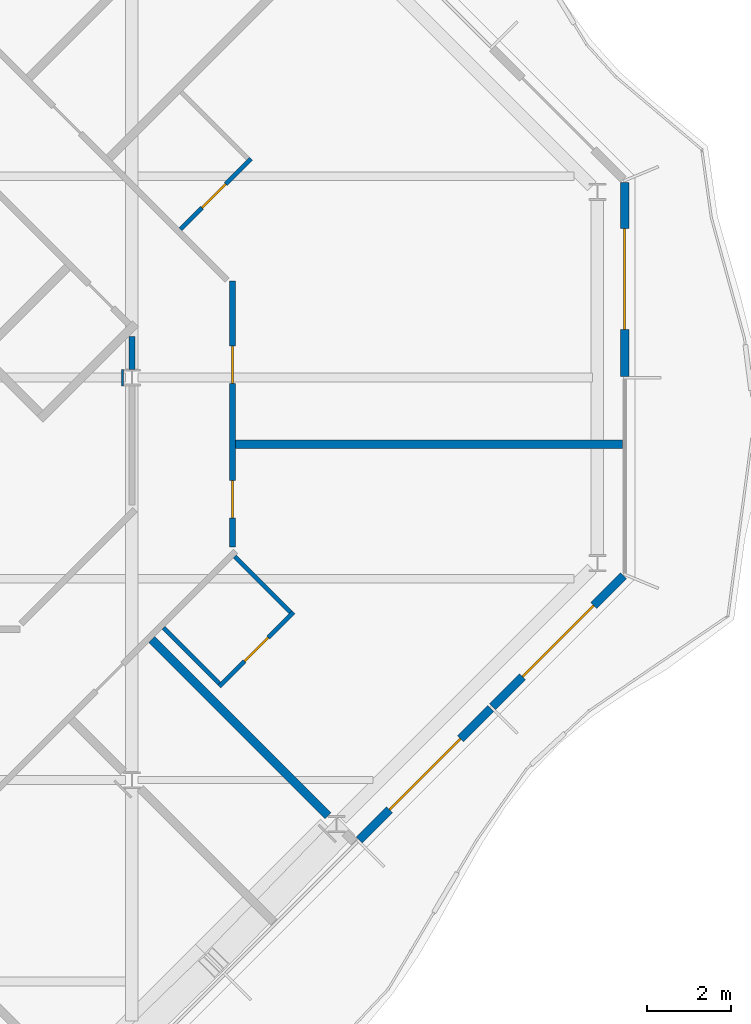
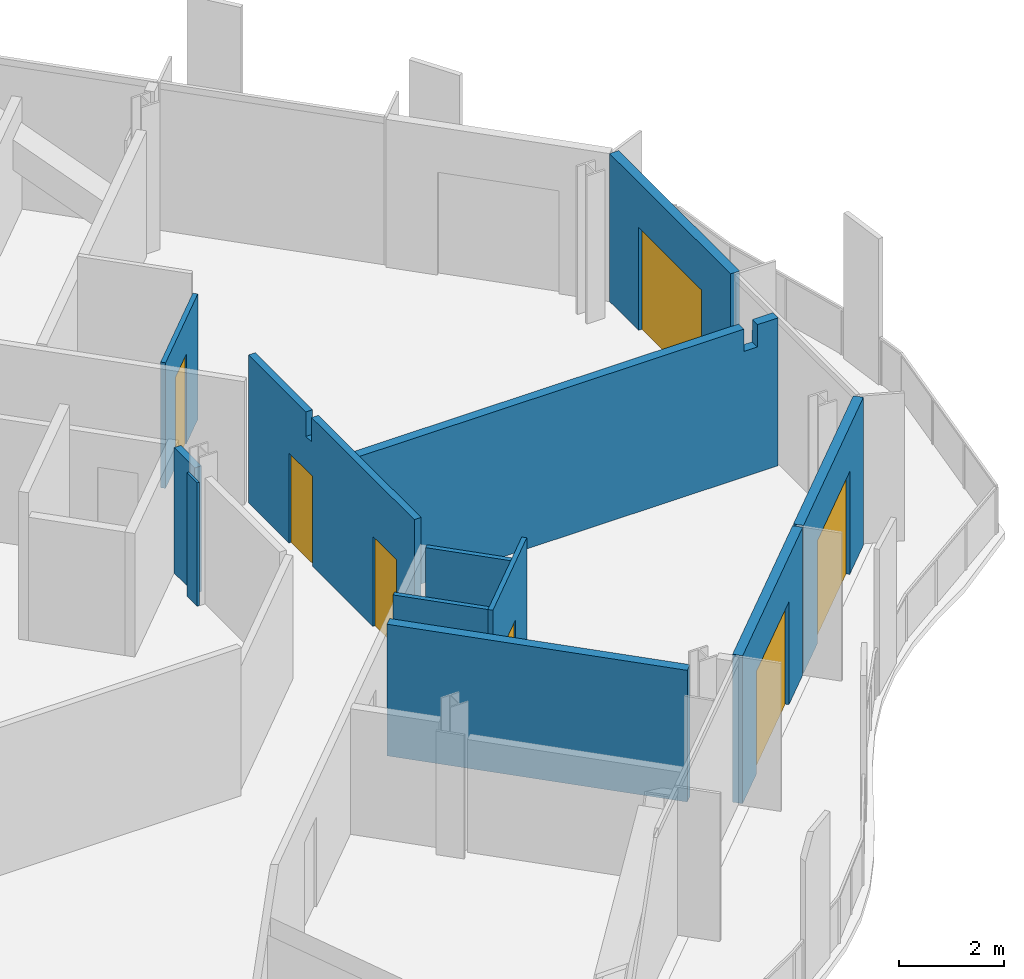
# One storey, part 10 of 17: 12 walls, 7 doors, 7 openings.
"""IFC4 building model written with IfcOpenShell, lengths in metres."""

from ifc_helpers import new_model, si_unit, direction, frame, frame_2d, origin, place, context, subcontext, project, spatial, polyline, rectangle, outline, extrude, material, layer, layer_set, type_object, element, fill, save


model = new_model("IFC4")

# Units and contexts
model_context = context("Model", 3, precision=1e-05, world=origin(), true_north=direction((0.0, 1.0)))
body_context = subcontext(model_context, "Body", "Model", "MODEL_VIEW")
ifc_project = project(units=[si_unit("LENGTHUNIT", "METRE"), si_unit("AREAUNIT", "SQUARE_METRE"), si_unit("VOLUMEUNIT", "CUBIC_METRE"), si_unit("PLANEANGLEUNIT", "RADIAN"), si_unit("MASSUNIT", "GRAM", prefix="KILO")], contexts=[model_context])

# Site, building, storey
site_placement = place(None, origin())
site = spatial("IfcSite", under=ifc_project, at=site_placement, CompositionType="ELEMENT")
building_placement = place(site_placement, origin())
building = spatial("IfcBuilding", under=site, at=building_placement, Name="Cairn Pilgrim Tower", CompositionType="ELEMENT")
storey_placement = place(building_placement, frame((0.0, 0.0, 253.800048828125)))
storey = spatial("IfcBuildingStorey", under=building, at=storey_placement, Name="L65", CompositionType="ELEMENT", Elevation=253.800048828125)

# Wall, opening, door
ifc_material_1 = material(Name="Bronze anodised aluminium insulated sandwich panel with mineral wool fill", Category="aluminium")
ifc_layer_1 = layer(ifc_material_1, 0.199951171875)
ifc_layer_set_1 = layer_set([ifc_layer_1], Name="BRONZE INFILL FRAME WALL 200")
wall_type_1 = type_object("IfcWallType", Name="BRONZE INFILL FRAME WALL 200", PredefinedType="NOTDEFINED", material=ifc_layer_set_1)
wall_1_placement = place(storey_placement, frame((36.6201171875, -11.0263671875, 0.0), z_axis=(0.0, 0.0, 1.0), x_axis=(0.707106781187, 0.707106781187, 0.0)))
wall_1 = element("IfcWall", 1, at=wall_1_placement, inside=storey, type_object=wall_type_1, Name="Bronze infill frame wall IW-SE5", PredefinedType="NOTDEFINED", context=body_context, shape_type="SweptSolid", body=[
    extrude(rectangle(XDim=4.430908203125, YDim=0.199951171875, at=frame_2d((2.21533203125, 0.0))), origin(), (0.0, 0.0, 1.0), 3.449951171875),
])
opening_1_placement = place(wall_1_placement, frame((1.01513671875, 0.0, 0.0)))
opening_1 = element("IfcOpeningElement", 2, at=opening_1_placement, cuts=wall_1, Name="Opening 6504B2", PredefinedType="OPENING", context=body_context, shape_type="SweptSolid", body=[
    extrude(rectangle(XDim=2.39990234375, YDim=2.39990234375, at=frame_2d((1.199951171875, 1.199951171875))), frame((0.0, 0.10986328125, 0.0), z_axis=(0.0, -1.0, 0.0), x_axis=(1.0, 0.0, 0.0)), (0.0, 0.0, 1.0), 0.219970703125),
])
ifc_material_2 = material(Name="Bronze anodised aluminium frame with tinted low-E glass", Category="aluminium")
door_type_1 = type_object("IfcDoorType", Name="BALCONY SLIDING DOOR 2400x2400", OperationType="DOUBLE_DOOR_SLIDING", PredefinedType="DOOR", material=ifc_material_2)
door_1_placement = place(opening_1_placement, origin())
door_1 = element("IfcDoor", 3, at=door_1_placement, inside=storey, type_object=door_type_1, Name="Balcony sliding door 6504B2", OperationType="SINGLE_SWING_LEFT", OverallHeight=2.39990234375, OverallWidth=2.39990234375, PredefinedType="DOOR", context=body_context, shape_type="SweptSolid", body=[
    extrude(rectangle(XDim=2.39990234375, YDim=2.39990234375, at=frame_2d((1.199951171875, 1.199951171875))), frame((0.0, 0.02490234375, 0.0), z_axis=(0.0, -1.0, 0.0), x_axis=(1.0, 0.0, 0.0)), (0.0, 0.0, 1.0), 0.050048828125),
])
fill(opening_1, door_1)

wall_2_placement = place(storey_placement, frame((39.795654296875, -7.850830078125, 0.0), z_axis=(0.0, 0.0, 1.0), x_axis=(0.707079168996, 0.707134392299, 0.0)))
wall_2 = element("IfcWall", 4, at=wall_2_placement, inside=storey, type_object=wall_type_1, Name="Bronze infill frame wall IW-SE6", PredefinedType="NOTDEFINED", context=body_context, shape_type="SweptSolid", body=[
    extrude(rectangle(XDim=4.4208984375, YDim=0.199951171875, at=frame_2d((2.21044921875, 0.0))), origin(), (0.0, 0.0, 1.0), 3.449951171875),
])
opening_2_placement = place(wall_2_placement, frame((1.01513671875, 0.0, 0.0)))
opening_2 = element("IfcOpeningElement", 5, at=opening_2_placement, cuts=wall_2, Name="Opening 6504B", PredefinedType="OPENING", context=body_context, shape_type="SweptSolid", body=[
    extrude(rectangle(XDim=2.39990234375, YDim=2.39990234375, at=frame_2d((1.199951171875, 1.199951171875))), frame((0.0, 0.10986328125, 0.0), z_axis=(0.0, -1.0, 0.0), x_axis=(1.0, 0.0, 0.0)), (0.0, 0.0, 1.0), 0.219970703125),
])
door_2_placement = place(opening_2_placement, origin())
door_2 = element("IfcDoor", 6, at=door_2_placement, inside=storey, type_object=door_type_1, Name="Balcony sliding door 6504B", OperationType="SINGLE_SWING_LEFT", OverallHeight=2.39990234375, OverallWidth=2.39990234375, PredefinedType="DOOR", context=body_context, shape_type="SweptSolid", body=[
    extrude(rectangle(XDim=2.39990234375, YDim=2.39990234375, at=frame_2d((1.199951171875, 1.199951171875))), frame((0.0, 0.02490234375, 0.0), z_axis=(0.0, -1.0, 0.0), x_axis=(1.0, 0.0, 0.0)), (0.0, 0.0, 1.0), 0.050048828125),
])
fill(opening_2, door_2)

wall_3_placement = place(storey_placement, frame((42.949951171875, 0.030029296875, 0.0), z_axis=(0.0, 0.0, 1.0), x_axis=(0.0, 1.0, 0.0)))
wall_3 = element("IfcWall", 7, at=wall_3_placement, inside=storey, type_object=wall_type_1, Name="Bronze infill frame wall IW-E2", PredefinedType="NOTDEFINED", context=body_context, shape_type="SweptSolid", body=[
    extrude(rectangle(XDim=4.62646484375, YDim=0.199951171875, at=frame_2d((2.313232421875, 0.0))), origin(), (0.0, 0.0, 1.0), 3.449951171875),
])
opening_3_placement = place(wall_3_placement, frame((1.1181640625, 0.0, 0.0)))
opening_3 = element("IfcOpeningElement", 8, at=opening_3_placement, cuts=wall_3, Name="Opening 6505B", PredefinedType="OPENING", context=body_context, shape_type="SweptSolid", body=[
    extrude(rectangle(XDim=2.39990234375, YDim=2.39990234375, at=frame_2d((1.199951171875, 1.199951171875))), frame((0.0, 0.10986328125, 0.0), z_axis=(0.0, -1.0, 0.0), x_axis=(1.0, 0.0, 0.0)), (0.0, 0.0, 1.0), 0.219970703125),
])
door_3_placement = place(opening_3_placement, origin())
door_3 = element("IfcDoor", 9, at=door_3_placement, inside=storey, type_object=door_type_1, Name="Balcony sliding door 6505B", OperationType="SINGLE_SWING_LEFT", OverallHeight=2.39990234375, OverallWidth=2.39990234375, PredefinedType="DOOR", context=body_context, shape_type="SweptSolid", body=[
    extrude(rectangle(XDim=2.39990234375, YDim=2.39990234375, at=frame_2d((1.199951171875, 1.199951171875))), frame((0.0, 0.02490234375, 0.0), z_axis=(0.0, -1.0, 0.0), x_axis=(1.0, 0.0, 0.0)), (0.0, 0.0, 1.0), 0.050048828125),
])
fill(opening_3, door_3)

ifc_material_3 = material(Name="Gypsum partition")
ifc_layer_2 = layer(ifc_material_3, 0.10009765625)
ifc_layer_set_2 = layer_set([ifc_layer_2], Name="PARTITION 100 DRYWALL")
wall_type_2 = type_object("IfcWallType", Name="PARTITION 100 DRYWALL", PredefinedType="PARTITIONING", material=ifc_layer_set_2)
wall_4_placement = place(storey_placement, frame((33.281494140625, -7.364501953125, 0.0), z_axis=(0.0, 0.0, 1.0), x_axis=(0.707106781187, 0.707106781187, 0.0)))
wall_4 = element("IfcWall", 10, at=wall_4_placement, inside=storey, type_object=wall_type_2, Name="PARTITION W035", PredefinedType="PARTITIONING", context=body_context, shape_type="SweptSolid", body=[
    extrude(rectangle(XDim=2.5, YDim=0.10009765625, at=frame_2d((1.25, 0.0))), origin(), (0.0, 0.0, 1.0), 3.449951171875),
])
opening_4_placement = place(wall_4_placement, frame((0.85009765625, 0.0, 0.0)))
opening_4 = element("IfcOpeningElement", 11, at=opening_4_placement, cuts=wall_4, Name="Opening 6504A", PredefinedType="OPENING", context=body_context, shape_type="SweptSolid", body=[
    extrude(rectangle(XDim=0.800048828125, YDim=2.10009765625, at=frame_2d((0.39990234375, 1.050048828125))), frame((0.0, 0.06005859375, 0.0), z_axis=(0.0, -1.0, 0.0), x_axis=(1.0, 0.0, 0.0)), (0.0, 0.0, 1.0), 0.1201171875),
])
ifc_material_4 = material(Name="Timber door leaf", Category="wood")
door_type_2 = type_object("IfcDoorType", Name="WC DOOR 800x2100", OperationType="NOTDEFINED", PredefinedType="DOOR", material=ifc_material_4)
door_4_placement = place(opening_4_placement, frame((0.800048828125, 0.0, 0.0), z_axis=(0.0, 0.0, 1.0), x_axis=(-1.0, 0.0, 0.0)))
door_4 = element("IfcDoor", 12, at=door_4_placement, inside=storey, type_object=door_type_2, Name="DOOR 6504A", OperationType="SINGLE_SWING_RIGHT", OverallHeight=2.10009765625, OverallWidth=0.800048828125, PredefinedType="DOOR", context=body_context, shape_type="SweptSolid", body=[
    extrude(rectangle(XDim=0.800048828125, YDim=2.10009765625, at=frame_2d((0.39990234375, 1.050048828125))), frame((0.0, 0.02490234375, 0.0), z_axis=(0.0, -1.0, 0.0), x_axis=(1.0, 0.0, 0.0)), (0.0, 0.0, 1.0), 0.050048828125),
])
fill(opening_4, door_4)

# Walls
wall_5_placement = place(storey_placement, frame((33.281494140625, -7.293701171875, 0.0), z_axis=(0.0, 0.0, 1.0), x_axis=(-0.707041661071, 0.707171895306, 0.0)))
element("IfcWall", 13, at=wall_5_placement, inside=storey, type_object=wall_type_2, Name="PARTITION W036", PredefinedType="PARTITIONING", context=body_context, shape_type="SweptSolid", body=[
    extrude(rectangle(XDim=1.87451171875, YDim=0.10009765625, at=frame_2d((0.937255859375, 0.0))), origin(), (0.0, 0.0, 1.0), 3.449951171875),
])
wall_6_placement = place(storey_placement, frame((34.978515625, -5.5966796875, 0.0), z_axis=(0.0, 0.0, 1.0), x_axis=(-0.707041661071, 0.707171895306, 0.0)))
element("IfcWall", 14, at=wall_6_placement, inside=storey, type_object=wall_type_2, Name="PARTITION W043", PredefinedType="PARTITIONING", context=body_context, shape_type="SweptSolid", body=[
    extrude(rectangle(XDim=1.87451171875, YDim=0.10009765625, at=frame_2d((0.937255859375, 0.0))), origin(), (0.0, 0.0, 1.0), 2.929931640625),
])

# Wall, opening, door
wall_7_placement = place(storey_placement, frame((32.35888671875, 3.541015625, 0.0), z_axis=(0.0, 0.0, 1.0), x_axis=(0.707158179099, 0.707055379538, 0.0)))
wall_7 = element("IfcWall", 15, at=wall_7_placement, inside=storey, type_object=wall_type_2, Name="PARTITION W058", PredefinedType="PARTITIONING", context=body_context, shape_type="SweptSolid", body=[
    extrude(rectangle(XDim=2.375, YDim=0.10009765625, at=frame_2d((1.1875, 0.0))), origin(), (0.0, 0.0, 1.0), 2.929931640625),
])
opening_5_placement = place(wall_7_placement, frame((0.72509765625, 0.0, 0.0)))
opening_5 = element("IfcOpeningElement", 16, at=opening_5_placement, cuts=wall_7, Name="Opening 6505A", PredefinedType="OPENING", context=body_context, shape_type="SweptSolid", body=[
    extrude(rectangle(XDim=0.800048828125, YDim=2.10009765625, at=frame_2d((0.39990234375, 1.050048828125))), frame((0.0, 0.06005859375, 0.0), z_axis=(0.0, -1.0, 0.0), x_axis=(1.0, 0.0, 0.0)), (0.0, 0.0, 1.0), 0.1201171875),
])
door_5_placement = place(opening_5_placement, frame((0.800048828125, 0.0, 0.0), z_axis=(0.0, 0.0, 1.0), x_axis=(-1.0, 0.0, 0.0)))
door_5 = element("IfcDoor", 17, at=door_5_placement, inside=storey, type_object=door_type_2, Name="DOOR 6505A", OperationType="SINGLE_SWING_RIGHT", OverallHeight=2.10009765625, OverallWidth=0.800048828125, PredefinedType="DOOR", context=body_context, shape_type="SweptSolid", body=[
    extrude(rectangle(XDim=0.800048828125, YDim=2.10009765625, at=frame_2d((0.39990234375, 1.050048828125))), frame((0.0, 0.02490234375, 0.0), z_axis=(0.0, -1.0, 0.0), x_axis=(1.0, 0.0, 0.0)), (0.0, 0.0, 1.0), 0.050048828125),
])
fill(opening_5, door_5)

# Wall, openings, doors
ifc_layer_3 = layer(ifc_material_3, 0.14990234375)
ifc_layer_set_3 = layer_set([ifc_layer_3], Name="PARTITION 150 DRYWALL EI 60")
wall_type_3 = type_object("IfcWallType", Name="PARTITION 150 DRYWALL EI 60", PredefinedType="PARTITIONING", material=ifc_layer_set_3)
wall_8_placement = place(storey_placement, frame((33.60009765625, -4.036865234375, 0.0), z_axis=(0.0, 0.0, 1.0), x_axis=(0.0, 1.0, 0.0)))
wall_8 = element("IfcWall", 18, at=wall_8_placement, inside=storey, type_object=wall_type_3, Name="PARTITION W044", PredefinedType="PARTITIONING", context=body_context, shape_type="SweptSolid", body=[
    extrude(outline(polyline([(0.0, 0.0), (6.3369140625, 0.0), (6.3369140625, 3.449951171875), (4.141845703125, 3.449951171875), (4.139892578125, 2.8798828125), (3.931884765625, 2.8798828125), (3.929931640625, 3.449951171875), (0.0, 3.449951171875), (0.0, 0.0)])), frame((0.0, 0.074951171875, 0.0), z_axis=(0.0, -1.0, 0.0), x_axis=(1.0, 0.0, 0.0)), (0.0, 0.0, 1.0), 0.14990234375),
])
opening_6_placement = place(wall_8_placement, frame((0.683837890625, 0.0, 0.0)))
opening_6 = element("IfcOpeningElement", 19, at=opening_6_placement, cuts=wall_8, Name="Opening 6504", PredefinedType="OPENING", context=body_context, shape_type="SweptSolid", body=[
    extrude(rectangle(XDim=0.89990234375, YDim=2.10009765625, at=frame_2d((0.449951171875, 1.050048828125))), frame((0.0, 0.0849609375, 0.0), z_axis=(0.0, -1.0, 0.0), x_axis=(1.0, 0.0, 0.0)), (0.0, 0.0, 1.0), 0.169921875),
])
opening_7_placement = place(wall_8_placement, frame((3.888916015625, 0.0, 0.0)))
opening_7 = element("IfcOpeningElement", 20, at=opening_7_placement, cuts=wall_8, Name="Opening 6505", PredefinedType="OPENING", context=body_context, shape_type="SweptSolid", body=[
    extrude(rectangle(XDim=0.89990234375, YDim=2.10009765625, at=frame_2d((0.449951171875, 1.050048828125))), frame((0.0, 0.0849609375, 0.0), z_axis=(0.0, -1.0, 0.0), x_axis=(1.0, 0.0, 0.0)), (0.0, 0.0, 1.0), 0.169921875),
])
door_type_3 = type_object("IfcDoorType", Name="ROOM DOOR 900x2100 FD30S", OperationType="NOTDEFINED", PredefinedType="DOOR", material=ifc_material_4)
door_6_placement = place(opening_6_placement, frame((0.89990234375, 0.0, 0.0), z_axis=(0.0, 0.0, 1.0), x_axis=(-1.0, 0.0, 0.0)))
door_6 = element("IfcDoor", 21, at=door_6_placement, inside=storey, type_object=door_type_3, Name="DOOR 6504", OperationType="SINGLE_SWING_RIGHT", OverallHeight=2.10009765625, OverallWidth=0.89990234375, PredefinedType="DOOR", context=body_context, shape_type="SweptSolid", body=[
    extrude(rectangle(XDim=0.89990234375, YDim=2.10009765625, at=frame_2d((0.449951171875, 1.050048828125))), frame((0.0, 0.02490234375, 0.0), z_axis=(0.0, -1.0, 0.0), x_axis=(1.0, 0.0, 0.0)), (0.0, 0.0, 1.0), 0.050048828125),
])
fill(opening_6, door_6)
door_7_placement = place(opening_7_placement, frame((0.89990234375, 0.0, 0.0), z_axis=(0.0, 0.0, 1.0), x_axis=(-1.0, 0.0, 0.0)))
door_7 = element("IfcDoor", 22, at=door_7_placement, inside=storey, type_object=door_type_3, Name="DOOR 6505", OperationType="SINGLE_SWING_RIGHT", OverallHeight=2.10009765625, OverallWidth=0.89990234375, PredefinedType="DOOR", context=body_context, shape_type="SweptSolid", body=[
    extrude(rectangle(XDim=0.89990234375, YDim=2.10009765625, at=frame_2d((0.449951171875, 1.050048828125))), frame((0.0, 0.02490234375, 0.0), z_axis=(0.0, -1.0, 0.0), x_axis=(1.0, 0.0, 0.0)), (0.0, 0.0, 1.0), 0.050048828125),
])
fill(opening_7, door_7)

# Walls
wall_9_placement = place(storey_placement, frame((31.199951171875, 0.196533203125, 0.0), z_axis=(0.0, 0.0, 1.0), x_axis=(0.0, 1.0, 0.0)))
element("IfcWall", 23, at=wall_9_placement, inside=storey, type_object=wall_type_3, Name="PARTITION W051", PredefinedType="PARTITIONING", context=body_context, shape_type="SweptSolid", body=[
    extrude(rectangle(XDim=0.787109375, YDim=0.14990234375, at=frame_2d((0.3935546875, 0.0))), origin(), (0.0, 0.0, 1.0), 2.929931640625),
])
ifc_layer_4 = layer(ifc_material_3, 0.050048828125)
ifc_layer_set_4 = layer_set([ifc_layer_4], Name="PARTITION 50 DRYWALL EI 60")
wall_type_4 = type_object("IfcWallType", Name="PARTITION 50 DRYWALL EI 60", PredefinedType="PARTITIONING", material=ifc_layer_set_4)
wall_10_placement = place(storey_placement, frame((30.9755859375, -0.196533203125, 0.0), z_axis=(0.0, 0.0, 1.0), x_axis=(0.0, 1.0, 0.0)))
element("IfcWall", 24, at=wall_10_placement, inside=storey, type_object=wall_type_4, Name="COLUMN CASING WC16", PredefinedType="PARTITIONING", context=body_context, shape_type="SweptSolid", body=[
    extrude(rectangle(XDim=0.39306640625, YDim=0.050048828125, at=frame_2d((0.196533203125, 0.0))), origin(), (0.0, 0.0, 1.0), 2.8798828125),
])
ifc_layer_5 = layer(ifc_material_3, 0.199951171875)
ifc_layer_set_5 = layer_set([ifc_layer_5], Name="SHAFT WALL 200 GYPSUM EI 60")
wall_type_5 = type_object("IfcWallType", Name="SHAFT WALL 200 GYPSUM EI 60", PredefinedType="PARTITIONING", material=ifc_layer_set_5)
wall_11_placement = place(storey_placement, frame((35.872802734375, -10.448974609375, 0.0), z_axis=(0.0, 0.0, 1.0), x_axis=(-0.707086223665, 0.70712733811, 0.0)))
element("IfcWall", 25, at=wall_11_placement, inside=storey, type_object=wall_type_5, Name="PARTITION W029", PredefinedType="PARTITIONING", context=body_context, shape_type="SweptSolid", body=[
    extrude(rectangle(XDim=5.93798828125, YDim=0.199951171875, at=frame_2d((2.968994140625, 0.0))), origin(), (0.0, 0.0, 1.0), 3.070068359375),
])
wall_12_placement = place(storey_placement, frame((33.675048828125, -1.589111328125, 0.0), z_axis=(0.0, 0.0, 1.0), x_axis=(1.0, 0.0, 0.0)))
element("IfcWall", 26, at=wall_12_placement, inside=storey, type_object=wall_type_5, Name="PARTITION W048", PredefinedType="PARTITIONING", context=body_context, shape_type="SweptSolid", body=[
    extrude(outline(polyline([(0.0, 0.0), (9.22802734375, 0.0), (9.22802734375, 3.449951171875), (8.77490234375, 3.449951171875), (8.77294921875, 2.929931640625), (8.47509765625, 2.929931640625), (8.472900390625, 3.449951171875), (0.0, 3.449951171875), (0.0, 0.0)])), frame((0.0, 0.10009765625, 0.0), z_axis=(0.0, -1.0, 0.0), x_axis=(1.0, 0.0, 0.0)), (0.0, 0.0, 1.0), 0.199951171875),
])

save(model, "model.ifc")
